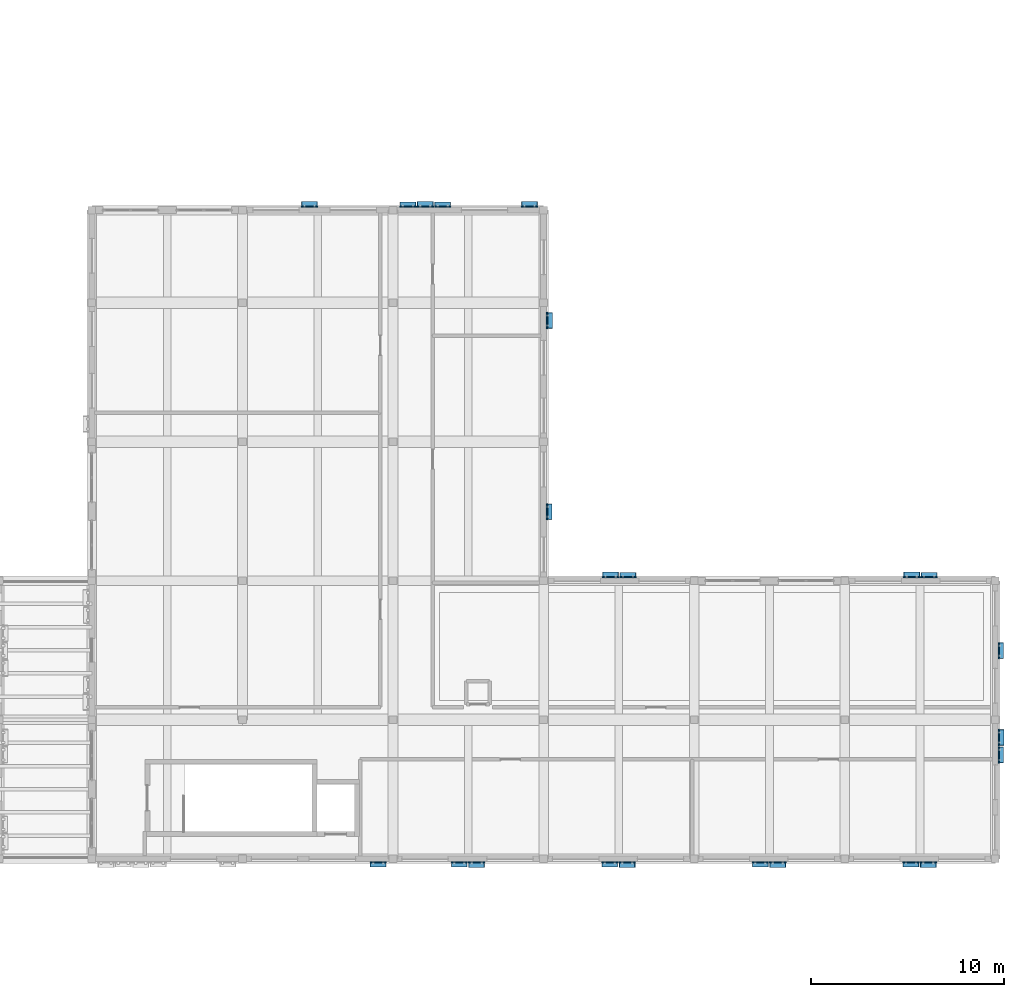
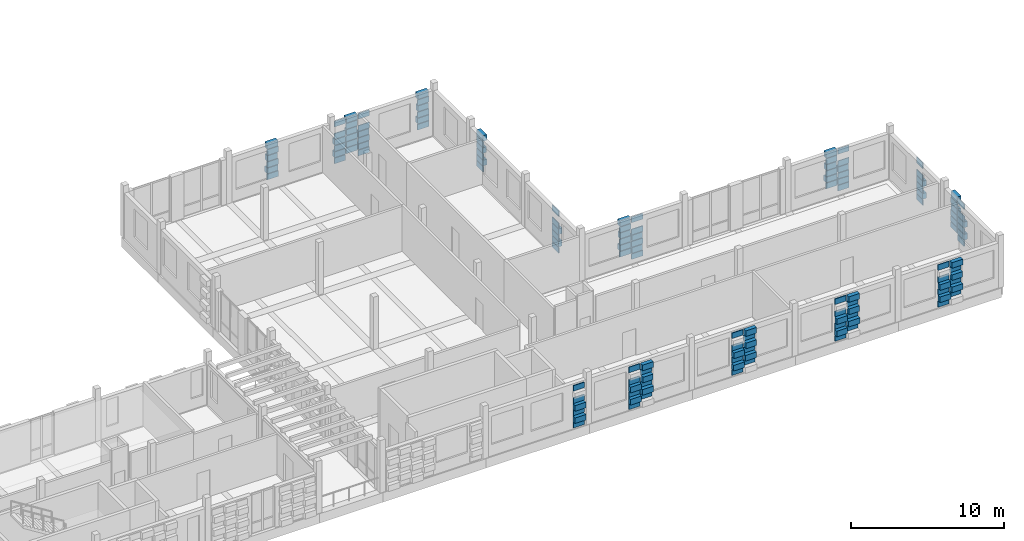
# One storey, part 63 of 99: 138 plates.
"""IFC4 building model written with IfcOpenShell, lengths in metres."""

from ifc_helpers import new_model, si_unit, direction, frame, origin, origin_2d, place, context, subcontext, project, spatial, rectangle, extrude, material, layer, layer_set, type_object, element, save


model = new_model("IFC4")

# Units and contexts
model_context = context("Model", 3, precision=1e-05, world=origin(), true_north=direction((0.0, 1.0)))
body_context = subcontext(model_context, "Body", "Model", "MODEL_VIEW")
ifc_project = project(units=[si_unit("LENGTHUNIT", "METRE"), si_unit("AREAUNIT", "SQUARE_METRE"), si_unit("VOLUMEUNIT", "CUBIC_METRE"), si_unit("PLANEANGLEUNIT", "RADIAN"), si_unit("MASSUNIT", "GRAM", prefix="KILO")], contexts=[model_context])

# Site, building, storey
site_placement = place(None, origin())
site = spatial("IfcSite", under=ifc_project, at=site_placement, CompositionType="ELEMENT")
building_placement = place(site_placement, origin())
building = spatial("IfcBuilding", under=site, at=building_placement, Name="Kahlenmark Community Centre", CompositionType="ELEMENT")
storey_placement = place(building_placement, frame((0.0, 0.0, 5.39990234375)))
storey = spatial("IfcBuildingStorey", under=building, at=storey_placement, Name="L01", CompositionType="ELEMENT", Elevation=5.39990234375)

# Plates
ifc_material_1 = material(Name="Extruded warm terracotta recessed weave tile", Category="masonry")
ifc_layer_1 = layer(ifc_material_1, 0.06005859375)
ifc_layer_set_1 = layer_set([ifc_layer_1], Name="Extruded warm terracotta recessed weave tile")
plate_type_1 = type_object("IfcPlateType", Name="PLT-TC-TC-R10-840X60X450", PredefinedType="SHEET", material=ifc_layer_set_1)
for number, where, z_axis, x_axis, name in (
    (1, (136.429931640625, 8.6201171875, 0.10009765625), (0.0, 0.0, 1.0), (1.0, 0.0, 0.0), "Basketweave terracotta cassette 1571"),
    (2, (136.429931640625, 8.6201171875, 1.080078125), (0.0, 0.0, 1.0), (1.0, 0.0, 0.0), "Basketweave terracotta cassette 1573"),
    (3, (136.429931640625, 8.6201171875, 2.06005859375), (0.0, 0.0, 1.0), (1.0, 0.0, 0.0), "Basketweave terracotta cassette 1575"),
    (4, (136.429931640625, 8.6201171875, 3.0400390625), (0.0, 0.0, 1.0), (1.0, 0.0, 0.0), "Basketweave terracotta cassette 1577"),
    (5, (140.6298828125, 8.6201171875, 0.10009765625), (0.0, 0.0, 1.0), (1.0, 0.0, 0.0), "Basketweave terracotta cassette 1578"),
    (6, (140.6298828125, 8.6201171875, 1.080078125), (0.0, 0.0, 1.0), (1.0, 0.0, 0.0), "Basketweave terracotta cassette 1580"),
    (7, (140.6298828125, 8.6201171875, 2.06005859375), (0.0, 0.0, 1.0), (1.0, 0.0, 0.0), "Basketweave terracotta cassette 1582"),
    (8, (140.6298828125, 8.6201171875, 3.0400390625), (0.0, 0.0, 1.0), (1.0, 0.0, 0.0), "Basketweave terracotta cassette 1584"),
    (9, (148.429931640625, 8.6201171875, 0.10009765625), (0.0, 0.0, 1.0), (1.0, 0.0, 0.0), "Basketweave terracotta cassette 1592"),
    (10, (148.429931640625, 8.6201171875, 1.080078125), (0.0, 0.0, 1.0), (1.0, 0.0, 0.0), "Basketweave terracotta cassette 1594"),
    (11, (148.429931640625, 8.6201171875, 2.06005859375), (0.0, 0.0, 1.0), (1.0, 0.0, 0.0), "Basketweave terracotta cassette 1596"),
    (12, (148.429931640625, 8.6201171875, 3.0400390625), (0.0, 0.0, 1.0), (1.0, 0.0, 0.0), "Basketweave terracotta cassette 1598"),
    (13, (156.22998046875, 8.6201171875, 0.10009765625), (0.0, 0.0, 1.0), (1.0, 0.0, 0.0), "Basketweave terracotta cassette 1606"),
    (14, (156.22998046875, 8.6201171875, 1.080078125), (0.0, 0.0, 1.0), (1.0, 0.0, 0.0), "Basketweave terracotta cassette 1608"),
    (15, (156.22998046875, 8.6201171875, 2.06005859375), (0.0, 0.0, 1.0), (1.0, 0.0, 0.0), "Basketweave terracotta cassette 1610"),
    (16, (156.22998046875, 8.6201171875, 3.0400390625), (0.0, 0.0, 1.0), (1.0, 0.0, 0.0), "Basketweave terracotta cassette 1612"),
    (17, (164.030029296875, 8.6201171875, 0.10009765625), (0.0, 0.0, 1.0), (1.0, 0.0, 0.0), "Basketweave terracotta cassette 1620"),
    (18, (164.030029296875, 8.6201171875, 1.080078125), (0.0, 0.0, 1.0), (1.0, 0.0, 0.0), "Basketweave terracotta cassette 1622"),
    (19, (164.030029296875, 8.6201171875, 2.06005859375), (0.0, 0.0, 1.0), (1.0, 0.0, 0.0), "Basketweave terracotta cassette 1624"),
    (20, (164.030029296875, 8.6201171875, 3.0400390625), (0.0, 0.0, 1.0), (1.0, 0.0, 0.0), "Basketweave terracotta cassette 1626"),
    (21, (149.3701171875, 23.3798828125, 0.10009765625), (0.0, 0.0, 1.0), (-1.0, 0.0, 0.0), "Basketweave terracotta cassette 1634"),
    (22, (149.3701171875, 23.3798828125, 1.080078125), (0.0, 0.0, 1.0), (-1.0, 0.0, 0.0), "Basketweave terracotta cassette 1636"),
    (23, (149.3701171875, 23.3798828125, 2.06005859375), (0.0, 0.0, 1.0), (-1.0, 0.0, 0.0), "Basketweave terracotta cassette 1638"),
    (24, (149.3701171875, 23.3798828125, 3.0400390625), (0.0, 0.0, 1.0), (-1.0, 0.0, 0.0), "Basketweave terracotta cassette 1640"),
    (25, (164.969970703125, 23.3798828125, 0.10009765625), (0.0, 0.0, 1.0), (-1.0, 0.0, 0.0), "Basketweave terracotta cassette 1648"),
    (26, (164.969970703125, 23.3798828125, 1.080078125), (0.0, 0.0, 1.0), (-1.0, 0.0, 0.0), "Basketweave terracotta cassette 1650"),
    (27, (164.969970703125, 23.3798828125, 2.06005859375), (0.0, 0.0, 1.0), (-1.0, 0.0, 0.0), "Basketweave terracotta cassette 1652"),
    (28, (164.969970703125, 23.3798828125, 3.0400390625), (0.0, 0.0, 1.0), (-1.0, 0.0, 0.0), "Basketweave terracotta cassette 1654"),
    (29, (168.580078125, 14.179931640625, 0.10009765625), (0.0, 0.0, 1.0), (0.0, 1.0, 0.0), "Basketweave terracotta cassette 1686"),
    (30, (168.580078125, 14.179931640625, 1.080078125), (0.0, 0.0, 1.0), (0.0, 1.0, 0.0), "Basketweave terracotta cassette 1688"),
    (31, (168.580078125, 14.179931640625, 2.06005859375), (0.0, 0.0, 1.0), (0.0, 1.0, 0.0), "Basketweave terracotta cassette 1690"),
    (32, (168.580078125, 14.179931640625, 3.0400390625), (0.0, 0.0, 1.0), (0.0, 1.0, 0.0), "Basketweave terracotta cassette 1692"),
    (33, (168.580078125, 19.580078125, 0.10009765625), (0.0, 0.0, 1.0), (0.0, 1.0, 0.0), "Basketweave terracotta cassette 1700"),
    (34, (168.580078125, 19.580078125, 1.080078125), (0.0, 0.0, 1.0), (0.0, 1.0, 0.0), "Basketweave terracotta cassette 1702"),
    (35, (168.580078125, 19.580078125, 2.06005859375), (0.0, 0.0, 1.0), (0.0, 1.0, 0.0), "Basketweave terracotta cassette 1704"),
    (36, (168.580078125, 19.580078125, 3.0400390625), (0.0, 0.0, 1.0), (0.0, 1.0, 0.0), "Basketweave terracotta cassette 1706"),
    (37, (139.77001953125, 42.580078125, 0.10009765625), (0.0, 0.0, 1.0), (-1.0, 0.0, 0.0), "Basketweave terracotta cassette 1721"),
    (38, (139.77001953125, 42.580078125, 1.080078125), (0.0, 0.0, 1.0), (-1.0, 0.0, 0.0), "Basketweave terracotta cassette 1723"),
    (39, (139.77001953125, 42.580078125, 2.06005859375), (0.0, 0.0, 1.0), (-1.0, 0.0, 0.0), "Basketweave terracotta cassette 1725"),
    (40, (139.77001953125, 42.580078125, 3.0400390625), (0.0, 0.0, 1.0), (-1.0, 0.0, 0.0), "Basketweave terracotta cassette 1727"),
    (41, (137.969970703125, 42.580078125, 0.10009765625), (0.0, 0.0, 1.0), (-1.0, 0.0, 0.0), "Basketweave terracotta cassette 1735"),
    (42, (137.969970703125, 42.580078125, 1.080078125), (0.0, 0.0, 1.0), (-1.0, 0.0, 0.0), "Basketweave terracotta cassette 1737"),
    (43, (137.969970703125, 42.580078125, 2.06005859375), (0.0, 0.0, 1.0), (-1.0, 0.0, 0.0), "Basketweave terracotta cassette 1739"),
    (44, (137.969970703125, 42.580078125, 3.0400390625), (0.0, 0.0, 1.0), (-1.0, 0.0, 0.0), "Basketweave terracotta cassette 1741"),
    (45, (145.179931640625, 26.780029296875, 0.10009765625), (0.0, 0.0, 1.0), (0.0, 1.0, 0.0), "Basketweave terracotta cassette 1749"),
    (46, (145.179931640625, 26.780029296875, 1.080078125), (0.0, 0.0, 1.0), (0.0, 1.0, 0.0), "Basketweave terracotta cassette 1751"),
    (47, (145.179931640625, 26.780029296875, 2.06005859375), (0.0, 0.0, 1.0), (0.0, 1.0, 0.0), "Basketweave terracotta cassette 1753"),
    (48, (145.179931640625, 26.780029296875, 3.0400390625), (0.0, 0.0, 1.0), (0.0, 1.0, 0.0), "Basketweave terracotta cassette 1755"),
):
    element("IfcPlate", number, at=place(storey_placement, frame(where, z_axis=z_axis, x_axis=x_axis)), inside=storey, type_object=plate_type_1, Name=name, PredefinedType="SHEET", context=body_context, shape_type="SweptSolid", body=[
        extrude(rectangle(XDim=0.840087890625, YDim=0.06005859375, at=origin_2d()), origin(), (0.0, 0.0, 1.0), 0.449951171875),
    ])
ifc_layer_2 = layer(ifc_material_1, 0.06005859375)
ifc_layer_set_2 = layer_set([ifc_layer_2], Name="Extruded warm terracotta recessed weave tile")
plate_type_2 = type_object("IfcPlateType", Name="PLT-TC-TC-R10-860X60X450", PredefinedType="SHEET", material=ifc_layer_set_2)
for number, where, z_axis, x_axis, name in (
    (49, (141.530029296875, 8.6201171875, 0.59033203125), (0.0, 0.0, 1.0), (1.0, 0.0, 0.0), "Basketweave terracotta cassette 1586"),
    (50, (141.530029296875, 8.6201171875, 1.5703125), (0.0, 0.0, 1.0), (1.0, 0.0, 0.0), "Basketweave terracotta cassette 1588"),
    (51, (141.530029296875, 8.6201171875, 2.55029296875), (0.0, 0.0, 1.0), (1.0, 0.0, 0.0), "Basketweave terracotta cassette 1590"),
    (52, (149.330078125, 8.6201171875, 0.59033203125), (0.0, 0.0, 1.0), (1.0, 0.0, 0.0), "Basketweave terracotta cassette 1600"),
    (53, (149.330078125, 8.6201171875, 1.5703125), (0.0, 0.0, 1.0), (1.0, 0.0, 0.0), "Basketweave terracotta cassette 1602"),
    (54, (149.330078125, 8.6201171875, 2.55029296875), (0.0, 0.0, 1.0), (1.0, 0.0, 0.0), "Basketweave terracotta cassette 1604"),
    (55, (157.1298828125, 8.6201171875, 0.59033203125), (0.0, 0.0, 1.0), (1.0, 0.0, 0.0), "Basketweave terracotta cassette 1614"),
    (56, (157.1298828125, 8.6201171875, 1.5703125), (0.0, 0.0, 1.0), (1.0, 0.0, 0.0), "Basketweave terracotta cassette 1616"),
    (57, (157.1298828125, 8.6201171875, 2.55029296875), (0.0, 0.0, 1.0), (1.0, 0.0, 0.0), "Basketweave terracotta cassette 1618"),
    (58, (164.929931640625, 8.6201171875, 0.59033203125), (0.0, 0.0, 1.0), (1.0, 0.0, 0.0), "Basketweave terracotta cassette 1628"),
    (59, (164.929931640625, 8.6201171875, 1.5703125), (0.0, 0.0, 1.0), (1.0, 0.0, 0.0), "Basketweave terracotta cassette 1630"),
    (60, (164.929931640625, 8.6201171875, 2.55029296875), (0.0, 0.0, 1.0), (1.0, 0.0, 0.0), "Basketweave terracotta cassette 1632"),
    (61, (148.469970703125, 23.3798828125, 0.59033203125), (0.0, 0.0, 1.0), (-1.0, 0.0, 0.0), "Basketweave terracotta cassette 1642"),
    (62, (148.469970703125, 23.3798828125, 1.5703125), (0.0, 0.0, 1.0), (-1.0, 0.0, 0.0), "Basketweave terracotta cassette 1644"),
    (63, (148.469970703125, 23.3798828125, 2.55029296875), (0.0, 0.0, 1.0), (-1.0, 0.0, 0.0), "Basketweave terracotta cassette 1646"),
    (64, (164.070068359375, 23.3798828125, 0.59033203125), (0.0, 0.0, 1.0), (-1.0, 0.0, 0.0), "Basketweave terracotta cassette 1656"),
    (65, (164.070068359375, 23.3798828125, 1.5703125), (0.0, 0.0, 1.0), (-1.0, 0.0, 0.0), "Basketweave terracotta cassette 1658"),
    (66, (164.070068359375, 23.3798828125, 2.55029296875), (0.0, 0.0, 1.0), (-1.0, 0.0, 0.0), "Basketweave terracotta cassette 1660"),
    (67, (168.580078125, 15.080078125, 0.59033203125), (0.0, 0.0, 1.0), (0.0, 1.0, 0.0), "Basketweave terracotta cassette 1694"),
    (68, (168.580078125, 15.080078125, 1.5703125), (0.0, 0.0, 1.0), (0.0, 1.0, 0.0), "Basketweave terracotta cassette 1696"),
    (69, (168.580078125, 15.080078125, 2.55029296875), (0.0, 0.0, 1.0), (0.0, 1.0, 0.0), "Basketweave terracotta cassette 1698"),
    (70, (132.8701171875, 42.580078125, 0.59033203125), (0.0, 0.0, 1.0), (-1.0, 0.0, 0.0), "Basketweave terracotta cassette 1708"),
    (71, (132.8701171875, 42.580078125, 1.5703125), (0.0, 0.0, 1.0), (-1.0, 0.0, 0.0), "Basketweave terracotta cassette 1710"),
    (72, (132.8701171875, 42.580078125, 2.55029296875), (0.0, 0.0, 1.0), (-1.0, 0.0, 0.0), "Basketweave terracotta cassette 1712"),
    (73, (144.27001953125, 42.580078125, 0.59033203125), (0.0, 0.0, 1.0), (-1.0, 0.0, 0.0), "Basketweave terracotta cassette 1715"),
    (74, (144.27001953125, 42.580078125, 1.5703125), (0.0, 0.0, 1.0), (-1.0, 0.0, 0.0), "Basketweave terracotta cassette 1717"),
    (75, (144.27001953125, 42.580078125, 2.55029296875), (0.0, 0.0, 1.0), (-1.0, 0.0, 0.0), "Basketweave terracotta cassette 1719"),
    (76, (138.8701171875, 42.580078125, 0.59033203125), (0.0, 0.0, 1.0), (-1.0, 0.0, 0.0), "Basketweave terracotta cassette 1729"),
    (77, (138.8701171875, 42.580078125, 1.5703125), (0.0, 0.0, 1.0), (-1.0, 0.0, 0.0), "Basketweave terracotta cassette 1731"),
    (78, (138.8701171875, 42.580078125, 2.55029296875), (0.0, 0.0, 1.0), (-1.0, 0.0, 0.0), "Basketweave terracotta cassette 1733"),
    (79, (145.179931640625, 36.679931640625, 0.59033203125), (0.0, 0.0, 1.0), (0.0, 1.0, 0.0), "Basketweave terracotta cassette 1757"),
    (80, (145.179931640625, 36.679931640625, 1.5703125), (0.0, 0.0, 1.0), (0.0, 1.0, 0.0), "Basketweave terracotta cassette 1759"),
    (81, (145.179931640625, 36.679931640625, 2.55029296875), (0.0, 0.0, 1.0), (0.0, 1.0, 0.0), "Basketweave terracotta cassette 1761"),
):
    element("IfcPlate", number, at=place(storey_placement, frame(where, z_axis=z_axis, x_axis=x_axis)), inside=storey, type_object=plate_type_2, Name=name, PredefinedType="SHEET", context=body_context, shape_type="SweptSolid", body=[
        extrude(rectangle(XDim=0.860107421875, YDim=0.06005859375, at=origin_2d()), origin(), (0.0, 0.0, 1.0), 0.449951171875),
    ])
ifc_material_2 = material(Name="Extruded glazed terracotta weave cassette", Category="masonry")
ifc_layer_3 = layer(ifc_material_2, 0.300048828125)
ifc_layer_set_3 = layer_set([ifc_layer_3], Name="Extruded glazed terracotta weave cassette")
plate_type_3 = type_object("IfcPlateType", Name="PLT-TC-TC-R34-780X300X450", PredefinedType="SHEET", material=ifc_layer_set_3)
for number, where, z_axis, x_axis, name in (
    (82, (141.530029296875, 8.5, 2.06005859375), (0.0, 0.0, 1.0), (1.0, 0.0, 0.0), "Basketweave terracotta cassette 1589"),
    (83, (149.330078125, 8.5, 2.06005859375), (0.0, 0.0, 1.0), (1.0, 0.0, 0.0), "Basketweave terracotta cassette 1603"),
    (84, (157.1298828125, 8.5, 2.06005859375), (0.0, 0.0, 1.0), (1.0, 0.0, 0.0), "Basketweave terracotta cassette 1617"),
    (85, (164.929931640625, 8.5, 2.06005859375), (0.0, 0.0, 1.0), (1.0, 0.0, 0.0), "Basketweave terracotta cassette 1631"),
    (86, (148.469970703125, 23.5, 2.06005859375), (0.0, 0.0, 1.0), (-1.0, 0.0, 0.0), "Basketweave terracotta cassette 1645"),
    (87, (164.070068359375, 23.5, 2.06005859375), (0.0, 0.0, 1.0), (-1.0, 0.0, 0.0), "Basketweave terracotta cassette 1659"),
    (88, (168.699951171875, 15.080078125, 2.06005859375), (0.0, 0.0, 1.0), (0.0, 1.0, 0.0), "Basketweave terracotta cassette 1697"),
    (89, (132.8701171875, 42.699951171875, 2.06005859375), (0.0, 0.0, 1.0), (-1.0, 0.0, 0.0), "Basketweave terracotta cassette 1711"),
    (90, (144.27001953125, 42.699951171875, 2.06005859375), (0.0, 0.0, 1.0), (-1.0, 0.0, 0.0), "Basketweave terracotta cassette 1718"),
    (91, (138.8701171875, 42.699951171875, 2.06005859375), (0.0, 0.0, 1.0), (-1.0, 0.0, 0.0), "Basketweave terracotta cassette 1732"),
    (92, (145.300048828125, 36.679931640625, 2.06005859375), (0.0, 0.0, 1.0), (0.0, 1.0, 0.0), "Basketweave terracotta cassette 1760"),
):
    element("IfcPlate", number, at=place(storey_placement, frame(where, z_axis=z_axis, x_axis=x_axis)), inside=storey, type_object=plate_type_3, Name=name, PredefinedType="SHEET", context=body_context, shape_type="SweptSolid", body=[
        extrude(rectangle(XDim=0.780029296875, YDim=0.300048828125, at=origin_2d()), origin(), (0.0, 0.0, 1.0), 0.449951171875),
    ])
ifc_layer_4 = layer(ifc_material_2, 0.300048828125)
ifc_layer_set_4 = layer_set([ifc_layer_4], Name="Extruded glazed terracotta weave cassette")
plate_type_4 = type_object("IfcPlateType", Name="PLT-TC-TC-R34-820X300X450", PredefinedType="SHEET", material=ifc_layer_set_4)
for number, where, z_axis, x_axis, name in (
    (93, (141.530029296875, 8.5, 3.0400390625), (0.0, 0.0, 1.0), (1.0, 0.0, 0.0), "Basketweave terracotta cassette 1591"),
    (94, (149.330078125, 8.5, 3.0400390625), (0.0, 0.0, 1.0), (1.0, 0.0, 0.0), "Basketweave terracotta cassette 1605"),
    (95, (157.1298828125, 8.5, 3.0400390625), (0.0, 0.0, 1.0), (1.0, 0.0, 0.0), "Basketweave terracotta cassette 1619"),
    (96, (164.929931640625, 8.5, 3.0400390625), (0.0, 0.0, 1.0), (1.0, 0.0, 0.0), "Basketweave terracotta cassette 1633"),
    (97, (148.469970703125, 23.5, 3.0400390625), (0.0, 0.0, 1.0), (-1.0, 0.0, 0.0), "Basketweave terracotta cassette 1647"),
    (98, (164.070068359375, 23.5, 3.0400390625), (0.0, 0.0, 1.0), (-1.0, 0.0, 0.0), "Basketweave terracotta cassette 1661"),
    (99, (168.699951171875, 15.080078125, 3.0400390625), (0.0, 0.0, 1.0), (0.0, 1.0, 0.0), "Basketweave terracotta cassette 1699"),
    (100, (132.8701171875, 42.699951171875, 3.0400390625), (0.0, 0.0, 1.0), (-1.0, 0.0, 0.0), "Basketweave terracotta cassette 1713"),
    (101, (144.27001953125, 42.699951171875, 3.0400390625), (0.0, 0.0, 1.0), (-1.0, 0.0, 0.0), "Basketweave terracotta cassette 1720"),
    (102, (138.8701171875, 42.699951171875, 3.0400390625), (0.0, 0.0, 1.0), (-1.0, 0.0, 0.0), "Basketweave terracotta cassette 1734"),
    (103, (145.300048828125, 36.679931640625, 3.0400390625), (0.0, 0.0, 1.0), (0.0, 1.0, 0.0), "Basketweave terracotta cassette 1762"),
):
    element("IfcPlate", number, at=place(storey_placement, frame(where, z_axis=z_axis, x_axis=x_axis)), inside=storey, type_object=plate_type_4, Name=name, PredefinedType="SHEET", context=body_context, shape_type="SweptSolid", body=[
        extrude(rectangle(XDim=0.820068359375, YDim=0.300048828125, at=origin_2d()), origin(), (0.0, 0.0, 1.0), 0.449951171875),
    ])
ifc_layer_5 = layer(ifc_material_2, 0.300048828125)
ifc_layer_set_5 = layer_set([ifc_layer_5], Name="Extruded glazed terracotta weave cassette")
plate_type_5 = type_object("IfcPlateType", Name="PLT-TC-TC-R34-840X300X450", PredefinedType="SHEET", material=ifc_layer_set_5)
for number, where, z_axis, x_axis, name in (
    (104, (141.530029296875, 8.5, 1.080078125), (0.0, 0.0, 1.0), (1.0, 0.0, 0.0), "Basketweave terracotta cassette 1587"),
    (105, (149.330078125, 8.5, 1.080078125), (0.0, 0.0, 1.0), (1.0, 0.0, 0.0), "Basketweave terracotta cassette 1601"),
    (106, (157.1298828125, 8.5, 1.080078125), (0.0, 0.0, 1.0), (1.0, 0.0, 0.0), "Basketweave terracotta cassette 1615"),
    (107, (164.929931640625, 8.5, 1.080078125), (0.0, 0.0, 1.0), (1.0, 0.0, 0.0), "Basketweave terracotta cassette 1629"),
    (108, (148.469970703125, 23.5, 1.080078125), (0.0, 0.0, 1.0), (-1.0, 0.0, 0.0), "Basketweave terracotta cassette 1643"),
    (109, (164.070068359375, 23.5, 1.080078125), (0.0, 0.0, 1.0), (-1.0, 0.0, 0.0), "Basketweave terracotta cassette 1657"),
    (110, (168.699951171875, 15.080078125, 1.080078125), (0.0, 0.0, 1.0), (0.0, 1.0, 0.0), "Basketweave terracotta cassette 1695"),
    (111, (132.8701171875, 42.699951171875, 1.080078125), (0.0, 0.0, 1.0), (-1.0, 0.0, 0.0), "Basketweave terracotta cassette 1709"),
    (112, (144.27001953125, 42.699951171875, 1.080078125), (0.0, 0.0, 1.0), (-1.0, 0.0, 0.0), "Basketweave terracotta cassette 1716"),
    (113, (138.8701171875, 42.699951171875, 1.080078125), (0.0, 0.0, 1.0), (-1.0, 0.0, 0.0), "Basketweave terracotta cassette 1730"),
    (114, (145.300048828125, 36.679931640625, 1.080078125), (0.0, 0.0, 1.0), (0.0, 1.0, 0.0), "Basketweave terracotta cassette 1758"),
):
    element("IfcPlate", number, at=place(storey_placement, frame(where, z_axis=z_axis, x_axis=x_axis)), inside=storey, type_object=plate_type_5, Name=name, PredefinedType="SHEET", context=body_context, shape_type="SweptSolid", body=[
        extrude(rectangle(XDim=0.840087890625, YDim=0.300048828125, at=origin_2d()), origin(), (0.0, 0.0, 1.0), 0.449951171875),
    ])
ifc_layer_6 = layer(ifc_material_2, 0.280029296875)
ifc_layer_set_6 = layer_set([ifc_layer_6], Name="Extruded glazed terracotta weave cassette")
plate_type_6 = type_object("IfcPlateType", Name="PLT-TC-TC-W30-800X280X450", PredefinedType="SHEET", material=ifc_layer_set_6)
for number, where, z_axis, x_axis, name in (
    (115, (136.429931640625, 8.510009765625, 1.5703125), (0.0, 0.0, 1.0), (1.0, 0.0, 0.0), "Basketweave terracotta cassette 1574"),
    (116, (140.6298828125, 8.510009765625, 1.5703125), (0.0, 0.0, 1.0), (1.0, 0.0, 0.0), "Basketweave terracotta cassette 1581"),
    (117, (148.429931640625, 8.510009765625, 1.5703125), (0.0, 0.0, 1.0), (1.0, 0.0, 0.0), "Basketweave terracotta cassette 1595"),
    (118, (156.22998046875, 8.510009765625, 1.5703125), (0.0, 0.0, 1.0), (1.0, 0.0, 0.0), "Basketweave terracotta cassette 1609"),
    (119, (164.030029296875, 8.510009765625, 1.5703125), (0.0, 0.0, 1.0), (1.0, 0.0, 0.0), "Basketweave terracotta cassette 1623"),
    (120, (149.3701171875, 23.489990234375, 1.5703125), (0.0, 0.0, 1.0), (-1.0, 0.0, 0.0), "Basketweave terracotta cassette 1637"),
    (121, (164.969970703125, 23.489990234375, 1.5703125), (0.0, 0.0, 1.0), (-1.0, 0.0, 0.0), "Basketweave terracotta cassette 1651"),
    (122, (168.68994140625, 14.179931640625, 1.5703125), (0.0, 0.0, 1.0), (0.0, 1.0, 0.0), "Basketweave terracotta cassette 1689"),
    (123, (168.68994140625, 19.580078125, 1.5703125), (0.0, 0.0, 1.0), (0.0, 1.0, 0.0), "Basketweave terracotta cassette 1703"),
    (124, (139.77001953125, 42.68994140625, 1.5703125), (0.0, 0.0, 1.0), (-1.0, 0.0, 0.0), "Basketweave terracotta cassette 1724"),
    (125, (137.969970703125, 42.68994140625, 1.5703125), (0.0, 0.0, 1.0), (-1.0, 0.0, 0.0), "Basketweave terracotta cassette 1738"),
    (126, (145.2900390625, 26.780029296875, 1.5703125), (0.0, 0.0, 1.0), (0.0, 1.0, 0.0), "Basketweave terracotta cassette 1752"),
):
    element("IfcPlate", number, at=place(storey_placement, frame(where, z_axis=z_axis, x_axis=x_axis)), inside=storey, type_object=plate_type_6, Name=name, PredefinedType="SHEET", context=body_context, shape_type="SweptSolid", body=[
        extrude(rectangle(XDim=0.800048828125, YDim=0.280029296875, at=origin_2d()), origin(), (0.0, 0.0, 1.0), 0.449951171875),
    ])
ifc_layer_7 = layer(ifc_material_2, 0.280029296875)
ifc_layer_set_7 = layer_set([ifc_layer_7], Name="Extruded glazed terracotta weave cassette")
plate_type_7 = type_object("IfcPlateType", Name="PLT-TC-TC-W30-820X280X450", PredefinedType="SHEET", material=ifc_layer_set_7)
for number, where, z_axis, x_axis, name in (
    (127, (136.429931640625, 8.510009765625, 0.59033203125), (0.0, 0.0, 1.0), (1.0, 0.0, 0.0), "Basketweave terracotta cassette 1572"),
    (128, (140.6298828125, 8.510009765625, 0.59033203125), (0.0, 0.0, 1.0), (1.0, 0.0, 0.0), "Basketweave terracotta cassette 1579"),
    (129, (148.429931640625, 8.510009765625, 0.59033203125), (0.0, 0.0, 1.0), (1.0, 0.0, 0.0), "Basketweave terracotta cassette 1593"),
    (130, (156.22998046875, 8.510009765625, 0.59033203125), (0.0, 0.0, 1.0), (1.0, 0.0, 0.0), "Basketweave terracotta cassette 1607"),
    (131, (164.030029296875, 8.510009765625, 0.59033203125), (0.0, 0.0, 1.0), (1.0, 0.0, 0.0), "Basketweave terracotta cassette 1621"),
    (132, (149.3701171875, 23.489990234375, 0.59033203125), (0.0, 0.0, 1.0), (-1.0, 0.0, 0.0), "Basketweave terracotta cassette 1635"),
    (133, (164.969970703125, 23.489990234375, 0.59033203125), (0.0, 0.0, 1.0), (-1.0, 0.0, 0.0), "Basketweave terracotta cassette 1649"),
    (134, (168.68994140625, 14.179931640625, 0.59033203125), (0.0, 0.0, 1.0), (0.0, 1.0, 0.0), "Basketweave terracotta cassette 1687"),
    (135, (168.68994140625, 19.580078125, 0.59033203125), (0.0, 0.0, 1.0), (0.0, 1.0, 0.0), "Basketweave terracotta cassette 1701"),
    (136, (139.77001953125, 42.68994140625, 0.59033203125), (0.0, 0.0, 1.0), (-1.0, 0.0, 0.0), "Basketweave terracotta cassette 1722"),
    (137, (137.969970703125, 42.68994140625, 0.59033203125), (0.0, 0.0, 1.0), (-1.0, 0.0, 0.0), "Basketweave terracotta cassette 1736"),
    (138, (145.2900390625, 26.780029296875, 0.59033203125), (0.0, 0.0, 1.0), (0.0, 1.0, 0.0), "Basketweave terracotta cassette 1750"),
):
    element("IfcPlate", number, at=place(storey_placement, frame(where, z_axis=z_axis, x_axis=x_axis)), inside=storey, type_object=plate_type_7, Name=name, PredefinedType="SHEET", context=body_context, shape_type="SweptSolid", body=[
        extrude(rectangle(XDim=0.820068359375, YDim=0.280029296875, at=origin_2d()), origin(), (0.0, 0.0, 1.0), 0.449951171875),
    ])

save(model, "model.ifc")
